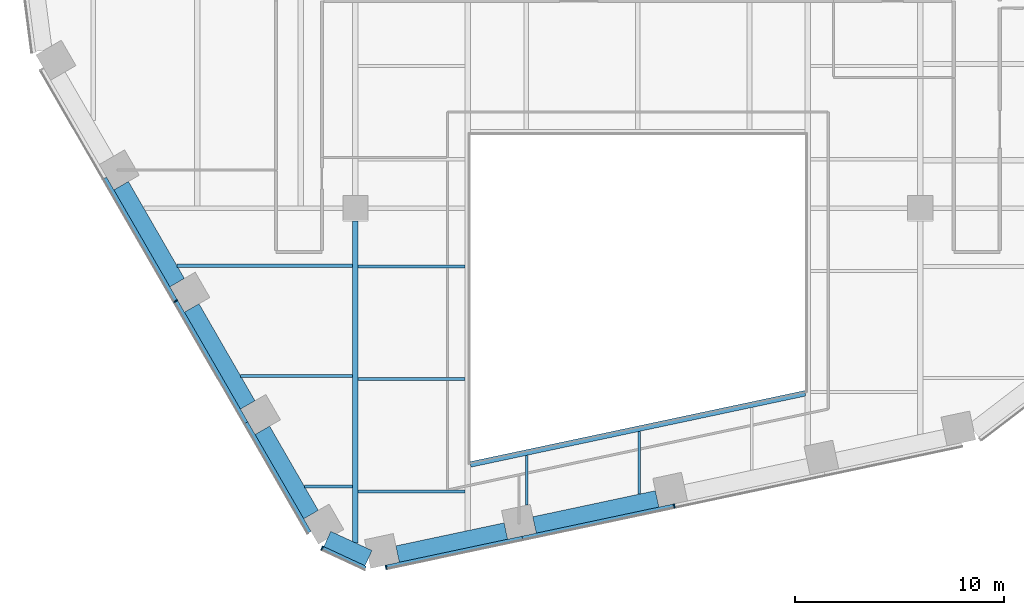
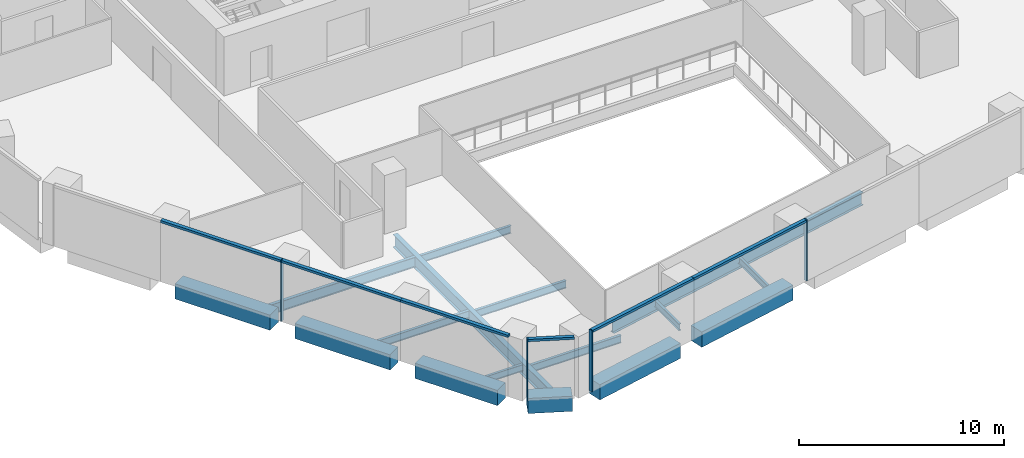
# One storey, part 2 of 16: 16 beams, 10 members, 3 elements without a shape of their own.
"""IFC4 building model written with IfcOpenShell, lengths in metres."""

from ifc_helpers import new_model, si_unit, direction, frame, origin, origin_2d, place, context, subcontext, project, spatial, rectangle, i_section, extrude, material, layer, layer_set, material_profile, profile_set, type_object, element, aggregate, save


model = new_model("IFC4")

# Units and contexts
model_context = context("Model", 3, precision=1e-05, world=origin(), true_north=direction((0.0, 1.0)))
body_context = subcontext(model_context, "Body", "Model", "MODEL_VIEW")
ifc_project = project(units=[si_unit("LENGTHUNIT", "METRE"), si_unit("AREAUNIT", "SQUARE_METRE"), si_unit("VOLUMEUNIT", "CUBIC_METRE"), si_unit("PLANEANGLEUNIT", "RADIAN"), si_unit("MASSUNIT", "GRAM", prefix="KILO")], contexts=[model_context])

# Site, building, storey
site_placement = place(None, origin())
site = spatial("IfcSite", under=ifc_project, at=site_placement, CompositionType="ELEMENT")
building_placement = place(site_placement, origin())
building = spatial("IfcBuilding", under=site, at=building_placement, Name="Isthmus Gate Tower", CompositionType="ELEMENT")
storey_placement = place(building_placement, frame((0.0, 0.0, 155.35009765625)))
storey = spatial("IfcBuildingStorey", under=building, at=storey_placement, Name="L38", CompositionType="ELEMENT", Elevation=155.35009765625)

# Curtain wall, member
ifc_material_1 = material(Name="Aluminium, pale champagne anodised", Category="aluminium")
ifc_layer = layer(ifc_material_1, 0.199951171875)
ifc_layer_set = layer_set([ifc_layer], Name="CW-1 UNITISED CURTAIN WALL 200 DEEP")
curtain_wall_type = type_object("IfcCurtainWallType", Name="CW-1 UNITISED CURTAIN WALL 200 DEEP", PredefinedType="NOTDEFINED", material=ifc_layer_set)
curtain_wall_1_placement = place(storey_placement, origin())
curtain_wall_1 = element("IfcCurtainWall", 1, at=curtain_wall_1_placement, inside=storey, type_object=curtain_wall_type, Name="CW-1 SW L38", PredefinedType="NOTDEFINED")
ifc_material_2 = material(Name="Aluminium, pale champagne anodised", Category="aluminium")
ifc_material_profile_1 = material_profile(ifc_material_2, rectangle(XDim=0.06005859375, YDim=0.199951171875, at=origin_2d()), Name="60x200")
ifc_profile_set_1 = profile_set([ifc_material_profile_1], Name="Aluminium, pale champagne anodised")
member_type_1 = type_object("IfcMemberType", Name="CW-1 MULLION 60 X 200", PredefinedType="MULLION", material=ifc_profile_set_1)
member_1_placement = place(storey_placement, frame((-22.08935546875, -17.93994140625, 0.0), z_axis=(0.0, 0.0, 1.0), x_axis=(0.5, -0.866025403784, 0.0)))
member_1 = element("IfcMember", 2, at=member_1_placement, type_object=member_type_1, Name="CW-1 mullion", PredefinedType="MULLION", context=body_context, shape_type="SweptSolid", body=[
    extrude(rectangle(XDim=0.06005859375, YDim=0.199951171875, at=origin_2d()), origin(), (0.0, 0.0, 1.0), 3.64990234375),
])

curtain_wall_2_placement = place(storey_placement, origin())
curtain_wall_2 = element("IfcCurtainWall", 3, at=curtain_wall_2_placement, inside=storey, type_object=curtain_wall_type, Name="CW-1 SW-S L38", PredefinedType="NOTDEFINED")
member_2_placement = place(storey_placement, frame((-15.091064453125, -29.74755859375, 0.0), z_axis=(0.0, 0.0, 1.0), x_axis=(0.907256261367, -0.420578264073, 0.0)))
member_2 = element("IfcMember", 4, at=member_2_placement, type_object=member_type_1, Name="CW-1 mullion", PredefinedType="MULLION", context=body_context, shape_type="SweptSolid", body=[
    extrude(rectangle(XDim=0.06005859375, YDim=0.199951171875, at=origin_2d()), origin(), (0.0, 0.0, 1.0), 3.64990234375),
])

# Curtain wall, members
curtain_wall_3_placement = place(storey_placement, origin())
curtain_wall_3 = element("IfcCurtainWall", 5, at=curtain_wall_3_placement, inside=storey, type_object=curtain_wall_type, Name="CW-1 S L38", PredefinedType="NOTDEFINED")
member_3_placement = place(storey_placement, frame((-12.03369140625, -30.66015625, 0.0), z_axis=(0.0, 0.0, 1.0), x_axis=(0.978147600734, 0.207911690818, 0.0)))
member_3 = element("IfcMember", 6, at=member_3_placement, type_object=member_type_1, Name="CW-1 mullion", PredefinedType="MULLION", context=body_context, shape_type="SweptSolid", body=[
    extrude(rectangle(XDim=0.06005859375, YDim=0.199951171875, at=origin_2d()), origin(), (0.0, 0.0, 1.0), 3.64990234375),
])
member_4_placement = place(storey_placement, frame((1.740234375, -27.732421875, 0.0), z_axis=(0.0, 0.0, 1.0), x_axis=(0.978147600734, 0.207911690818, 0.0)))
member_4 = element("IfcMember", 7, at=member_4_placement, type_object=member_type_1, Name="CW-1 mullion", PredefinedType="MULLION", context=body_context, shape_type="SweptSolid", body=[
    extrude(rectangle(XDim=0.06005859375, YDim=0.199951171875, at=origin_2d()), origin(), (0.0, 0.0, 1.0), 3.64990234375),
])

# Member
ifc_material_3 = material(Name="Aluminium, pale champagne anodised", Category="aluminium")
ifc_material_profile_2 = material_profile(ifc_material_3, rectangle(XDim=0.199951171875, YDim=0.139892578125, at=origin_2d()), Name="200x140")
ifc_profile_set_2 = profile_set([ifc_material_profile_2], Name="Aluminium, pale champagne anodised")
member_type_2 = type_object("IfcMemberType", Name="CW-1 TRANSOM 200 X 140", PredefinedType="USERDEFINED", material=ifc_profile_set_2)
member_5_placement = place(storey_placement, frame((-25.4794921875, -12.068115234375, 3.579833984375), z_axis=(0.49998230858, -0.86603561769, 0.0), x_axis=(0.86603561769, 0.49998230858, 0.0)))
member_5 = element("IfcMember", 8, at=member_5_placement, type_object=member_type_2, Name="CW-1 transom", ObjectType="TRANSOM", PredefinedType="USERDEFINED", context=body_context, shape_type="SweptSolid", body=[
    extrude(rectangle(XDim=0.199951171875, YDim=0.139892578125, at=origin_2d()), origin(), (0.0, 0.0, 1.0), 6.750244140625),
])

member_6_placement = place(storey_placement, frame((-22.074462890625, -17.9658203125, 3.579833984375), z_axis=(0.499981482168, -0.866036094796, 0.0), x_axis=(0.866036094796, 0.499981482168, 0.0)))
member_6 = element("IfcMember", 9, at=member_6_placement, type_object=member_type_2, Name="CW-1 transom", ObjectType="TRANSOM", PredefinedType="USERDEFINED", context=body_context, shape_type="SweptSolid", body=[
    extrude(rectangle(XDim=0.199951171875, YDim=0.139892578125, at=origin_2d()), origin(), (0.0, 0.0, 1.0), 6.690185546875),
])

member_7_placement = place(storey_placement, frame((-18.7294921875, -23.759765625, 3.579833984375), z_axis=(0.50001470477, -0.866016913815, 0.0), x_axis=(0.866016913815, 0.50001470477, 0.0)))
member_7 = element("IfcMember", 10, at=member_7_placement, type_object=member_type_2, Name="CW-1 transom", ObjectType="TRANSOM", PredefinedType="USERDEFINED", context=body_context, shape_type="SweptSolid", body=[
    extrude(rectangle(XDim=0.199951171875, YDim=0.139892578125, at=origin_2d()), origin(), (0.0, 0.0, 1.0), 6.050048828125),
])

aggregate(curtain_wall_1, [member_5, member_1, member_6, member_7])

member_8_placement = place(storey_placement, frame((-15.06396484375, -29.76025390625, 3.579833984375), z_axis=(0.907246225564, -0.420599912268, 0.0), x_axis=(0.420599912268, 0.907246225564, 0.0)))
member_8 = element("IfcMember", 11, at=member_8_placement, type_object=member_type_2, Name="CW-1 transom", ObjectType="TRANSOM", PredefinedType="USERDEFINED", context=body_context, shape_type="SweptSolid", body=[
    extrude(rectangle(XDim=0.199951171875, YDim=0.139892578125, at=origin_2d()), origin(), (0.0, 0.0, 1.0), 2.258544921875),
])

aggregate(curtain_wall_2, [member_2, member_8])

member_9_placement = place(storey_placement, frame((-12.00439453125, -30.65380859375, 3.579833984375), z_axis=(0.97814593552, 0.207919524877, 0.0), x_axis=(-0.207919524877, 0.97814593552, 0.0)))
member_9 = element("IfcMember", 12, at=member_9_placement, type_object=member_type_2, Name="CW-1 transom", ObjectType="TRANSOM", PredefinedType="USERDEFINED", context=body_context, shape_type="SweptSolid", body=[
    extrude(rectangle(XDim=0.199951171875, YDim=0.139892578125, at=origin_2d()), origin(), (0.0, 0.0, 1.0), 6.630859375),
])

member_10_placement = place(storey_placement, frame((-5.5185546875, -29.275146484375, 3.579833984375), z_axis=(0.978147683684, 0.207911300568, 0.0), x_axis=(-0.207911300568, 0.978147683684, 0.0)))
member_10 = element("IfcMember", 13, at=member_10_placement, type_object=member_type_2, Name="CW-1 transom", ObjectType="TRANSOM", PredefinedType="USERDEFINED", context=body_context, shape_type="SweptSolid", body=[
    extrude(rectangle(XDim=0.199951171875, YDim=0.139892578125, at=origin_2d()), origin(), (0.0, 0.0, 1.0), 7.390869140625),
])

aggregate(curtain_wall_3, [member_3, member_9, member_10, member_4])

# Beams
ifc_material_4 = material(Name="Concrete f'c 60 MPa", Category="concrete")
ifc_material_profile_3 = material_profile(ifc_material_4, rectangle(XDim=0.800048828125, YDim=0.89990234375, at=origin_2d()), Name="RC 800X900")
ifc_profile_set_3 = profile_set([ifc_material_profile_3], Name="Concrete f'c 60 MPa")
beam_type_1 = type_object("IfcBeamType", Name="RC SPANDREL 800 X 900", PredefinedType="SPANDREL", material=ifc_profile_set_3)
beam_1_placement = place(storey_placement, frame((0.922119140625, -27.39501953125, -0.4501953125), z_axis=(-0.978145798872, -0.20792016773, 0.0), x_axis=(0.20792016773, -0.978145798872, 0.0)))
element("IfcBeam", 14, at=beam_1_placement, inside=storey, type_object=beam_type_1, Name="str-spandrel-L38-13", PredefinedType="SPANDREL", context=body_context, shape_type="SweptSolid", body=[
    extrude(rectangle(XDim=0.800048828125, YDim=0.89990234375, at=origin_2d()), origin(), (0.0, 0.0, 1.0), 5.99072265625),
])
beam_2_placement = place(storey_placement, frame((-6.30712890625, -28.931640625, -0.4501953125), z_axis=(-0.978145479826, -0.207921668653, 0.0), x_axis=(0.207921668653, -0.978145479826, 0.0)))
element("IfcBeam", 15, at=beam_2_placement, inside=storey, type_object=beam_type_1, Name="str-spandrel-L38-14", PredefinedType="SPANDREL", context=body_context, shape_type="SweptSolid", body=[
    extrude(rectangle(XDim=0.800048828125, YDim=0.89990234375, at=origin_2d()), origin(), (0.0, 0.0, 1.0), 5.291015625),
])
beam_3_placement = place(storey_placement, frame((-12.87255859375, -30.224853515625, -0.4501953125), z_axis=(-0.907290744498, 0.420503870314, 0.0), x_axis=(-0.420503870314, -0.907290744498, 0.0)))
element("IfcBeam", 16, at=beam_3_placement, inside=storey, type_object=beam_type_1, Name="str-spandrel-L38-15", PredefinedType="SPANDREL", context=body_context, shape_type="SweptSolid", body=[
    extrude(rectangle(XDim=0.800048828125, YDim=0.89990234375, at=origin_2d()), origin(), (0.0, 0.0, 1.0), 2.173095703125),
])
beam_4_placement = place(storey_placement, frame((-15.621337890625, -28.14306640625, -0.4501953125), z_axis=(-0.499984536904, 0.866034331223, 0.0), x_axis=(-0.866034331223, -0.499984536904, 0.0)))
element("IfcBeam", 17, at=beam_4_placement, inside=storey, type_object=beam_type_1, Name="str-spandrel-L38-16", PredefinedType="SPANDREL", context=body_context, shape_type="SweptSolid", body=[
    extrude(rectangle(XDim=0.800048828125, YDim=0.89990234375, at=origin_2d()), origin(), (0.0, 0.0, 1.0), 4.650146484375),
])
for number, where, z_axis, x_axis, name in (
    (18, (-18.646484375, -22.903564453125, -0.4501953125), (-0.500001594578, 0.866024483152, 0.0), (-0.866024483152, -0.500001594578, 0.0), "str-spandrel-L38-17"),
    (19, (-22.021484375, -17.0576171875, -0.4501953125), (-0.500001594578, 0.866024483152, 0.0), (-0.866024483152, -0.500001594578, 0.0), "str-spandrel-L38-18"),
):
    element("IfcBeam", number, at=place(storey_placement, frame(where, z_axis=z_axis, x_axis=x_axis)), inside=storey, type_object=beam_type_1, Name=name, PredefinedType="SPANDREL", context=body_context, shape_type="SweptSolid", body=[
        extrude(rectangle(XDim=0.800048828125, YDim=0.89990234375, at=origin_2d()), origin(), (0.0, 0.0, 1.0), 5.35009765625),
    ])
ifc_material_5 = material(Name="Structural steel ASTM A992 Gr 50", Category="steel")
ifc_material_profile_4 = material_profile(ifc_material_5, i_section(OverallWidth=0.1396484375, OverallDepth=0.4033203125, WebThickness=0.00634765625, FlangeThickness=0.010986328125, at=origin_2d()), Name="W16X31")
ifc_profile_set_4 = profile_set([ifc_material_profile_4], Name="Structural steel ASTM A992 Gr 50")
beam_type_2 = type_object("IfcBeamType", Name="STEEL FLOOR BEAM W16X31", PredefinedType="JOIST", material=ifc_profile_set_4)
beam_5_placement = place(storey_placement, frame((-15.937744140625, -26.795166015625, -0.351806640625), z_axis=(1.0, 0.0, 0.0), x_axis=(0.0, 1.0, 0.0)))
element("IfcBeam", 20, at=beam_5_placement, inside=storey, type_object=beam_type_2, Name="str-beam-L38-02-00", PredefinedType="JOIST", context=body_context, shape_type="SweptSolid", body=[
    extrude(i_section(OverallWidth=0.1396484375, OverallDepth=0.4033203125, WebThickness=0.00634765625, FlangeThickness=0.010986328125, at=origin_2d()), origin(), (0.0, 0.0, 1.0), 2.304443359375),
])
beam_6_placement = place(storey_placement, frame((-5.311279296875, -27.69775390625, -0.351806640625), z_axis=(0.0, 1.0, 0.0), x_axis=(-1.0, 0.0, 0.0)))
element("IfcBeam", 21, at=beam_6_placement, inside=storey, type_object=beam_type_2, Name="str-beam-L38-07-00", PredefinedType="JOIST", context=body_context, shape_type="SweptSolid", body=[
    extrude(i_section(OverallWidth=0.1396484375, OverallDepth=0.4033203125, WebThickness=0.00634765625, FlangeThickness=0.010986328125, at=origin_2d()), origin(), (0.0, 0.0, 1.0), 2.385498046875),
])
beam_7_placement = place(storey_placement, frame((0.06591796875, -27.168212890625, -0.351806640625), z_axis=(0.0, 1.0, 0.0), x_axis=(-1.0, 0.0, 0.0)))
element("IfcBeam", 22, at=beam_7_placement, inside=storey, type_object=beam_type_2, Name="str-beam-L38-07-01", PredefinedType="JOIST", context=body_context, shape_type="SweptSolid", body=[
    extrude(i_section(OverallWidth=0.1396484375, OverallDepth=0.4033203125, WebThickness=0.00634765625, FlangeThickness=0.010986328125, at=origin_2d()), origin(), (0.0, 0.0, 1.0), 2.9990234375),
])
ifc_material_6 = material(Name="Structural steel ASTM A992 Gr 50", Category="steel")
ifc_material_profile_5 = material_profile(ifc_material_6, i_section(OverallWidth=0.15234375, OverallDepth=0.45068359375, WebThickness=0.0078125, FlangeThickness=0.010986328125, at=origin_2d()), Name="W18X35")
ifc_profile_set_5 = profile_set([ifc_material_profile_5], Name="Structural steel ASTM A992 Gr 50")
beam_type_3 = type_object("IfcBeamType", Name="STEEL FLOOR BEAM W18X35", PredefinedType="JOIST", material=ifc_profile_set_5)
beam_8_placement = place(storey_placement, frame((-18.981689453125, -21.52294921875, -0.37548828125), z_axis=(1.0, 0.0, 0.0), x_axis=(0.0, 1.0, 0.0)))
element("IfcBeam", 23, at=beam_8_placement, inside=storey, type_object=beam_type_3, Name="str-beam-L38-02-01", PredefinedType="JOIST", context=body_context, shape_type="SweptSolid", body=[
    extrude(i_section(OverallWidth=0.15234375, OverallDepth=0.45068359375, WebThickness=0.0078125, FlangeThickness=0.010986328125, at=origin_2d()), origin(), (0.0, 0.0, 1.0), 5.348388671875),
])
for number, where, z_axis, x_axis, name in (
    (24, (-13.36669921875, -27.04736328125, -0.37548828125), (1.0, 0.0, 0.0), (0.0, 1.0, 0.0), "str-beam-L38-03-00"),
    (25, (-13.36669921875, -21.67041015625, -0.37548828125), (1.0, 0.0, 0.0), (0.0, 1.0, 0.0), "str-beam-L38-03-01"),
    (26, (-13.36669921875, -16.293212890625, -0.37548828125), (1.0, 0.0, 0.0), (0.0, 1.0, 0.0), "str-beam-L38-03-02"),
):
    element("IfcBeam", number, at=place(storey_placement, frame(where, z_axis=z_axis, x_axis=x_axis)), inside=storey, type_object=beam_type_3, Name=name, PredefinedType="JOIST", context=body_context, shape_type="SweptSolid", body=[
        extrude(i_section(OverallWidth=0.15234375, OverallDepth=0.45068359375, WebThickness=0.0078125, FlangeThickness=0.010986328125, at=origin_2d()), origin(), (0.0, 0.0, 1.0), 5.10009765625),
    ])
ifc_material_7 = material(Name="Structural steel ASTM A992 Gr 50", Category="steel")
ifc_material_profile_6 = material_profile(ifc_material_7, i_section(OverallWidth=0.177734375, OverallDepth=0.60009765625, WebThickness=0.009521484375, FlangeThickness=0.0126953125, at=origin_2d()), Name="W24X55")
ifc_profile_set_6 = profile_set([ifc_material_profile_6], Name="Structural steel ASTM A992 Gr 50")
beam_type_4 = type_object("IfcBeamType", Name="STEEL FLOOR BEAM W24X55", PredefinedType="JOIST", material=ifc_profile_set_6)
beam_9_placement = place(storey_placement, frame((-22.025634765625, -16.25048828125, -0.4501953125), z_axis=(1.0, 0.0, 0.0), x_axis=(0.0, 1.0, 0.0)))
element("IfcBeam", 27, at=beam_9_placement, inside=storey, type_object=beam_type_4, Name="str-beam-L38-02-02", PredefinedType="JOIST", context=body_context, shape_type="SweptSolid", body=[
    extrude(i_section(OverallWidth=0.177734375, OverallDepth=0.60009765625, WebThickness=0.009521484375, FlangeThickness=0.0126953125, at=origin_2d()), origin(), (0.0, 0.0, 1.0), 8.392333984375),
])
ifc_material_8 = material(Name="Structural steel ASTM A992 Gr 50", Category="steel")
ifc_material_profile_7 = material_profile(ifc_material_8, i_section(OverallWidth=0.2666015625, OverallDepth=0.7587890625, WebThickness=0.014404296875, FlangeThickness=0.01904296875, at=origin_2d()), Name="W30X108")
ifc_profile_set_7 = profile_set([ifc_material_profile_7], Name="Structural steel ASTM A992 Gr 50")
beam_type_5 = type_object("IfcBeamType", Name="STEEL GIRDER W30X108", PredefinedType="BEAM", material=ifc_profile_set_7)
beam_10_placement = place(storey_placement, frame((-13.5, -29.4931640625, -0.529541015625), z_axis=(0.0, 1.0, 0.0), x_axis=(-1.0, 0.0, 0.0)))
element("IfcBeam", 28, at=beam_10_placement, inside=storey, type_object=beam_type_5, Name="str-girder-L38-07", PredefinedType="BEAM", context=body_context, shape_type="SweptSolid", body=[
    extrude(i_section(OverallWidth=0.2666015625, OverallDepth=0.7587890625, WebThickness=0.014404296875, FlangeThickness=0.01904296875, at=origin_2d()), origin(), (0.0, 0.0, 1.0), 15.39306640625),
])
ifc_material_9 = material(Name="Structural steel ASTM A992 Gr 50", Category="steel")
ifc_material_profile_8 = material_profile(ifc_material_9, i_section(OverallWidth=0.2666015625, OverallDepth=0.7587890625, WebThickness=0.014404296875, FlangeThickness=0.01904296875, at=origin_2d()), Name="W30X108")
ifc_profile_set_8 = profile_set([ifc_material_profile_8], Name="Structural steel ASTM A992 Gr 50")
beam_type_6 = type_object("IfcBeamType", Name="STEEL TRIMMER W30X108", PredefinedType="BEAM", material=ifc_profile_set_8)
beam_11_placement = place(storey_placement, frame((-8.0, -25.747314453125, -0.529541015625), z_axis=(0.978147924985, 0.20791016533, 0.0), x_axis=(-0.20791016533, 0.978147924985, 0.0)))
element("IfcBeam", 29, at=beam_11_placement, inside=storey, type_object=beam_type_6, Name="str-trimmer-L38-03", PredefinedType="BEAM", context=body_context, shape_type="SweptSolid", body=[
    extrude(i_section(OverallWidth=0.2666015625, OverallDepth=0.7587890625, WebThickness=0.014404296875, FlangeThickness=0.01904296875, at=origin_2d()), origin(), (0.0, 0.0, 1.0), 16.357421875),
])

save(model, "model.ifc")
